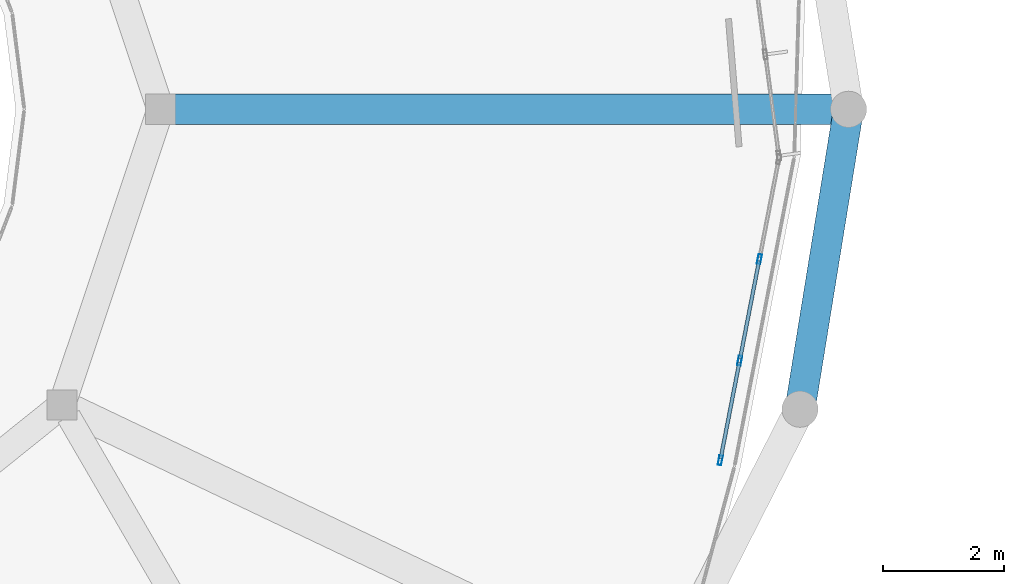
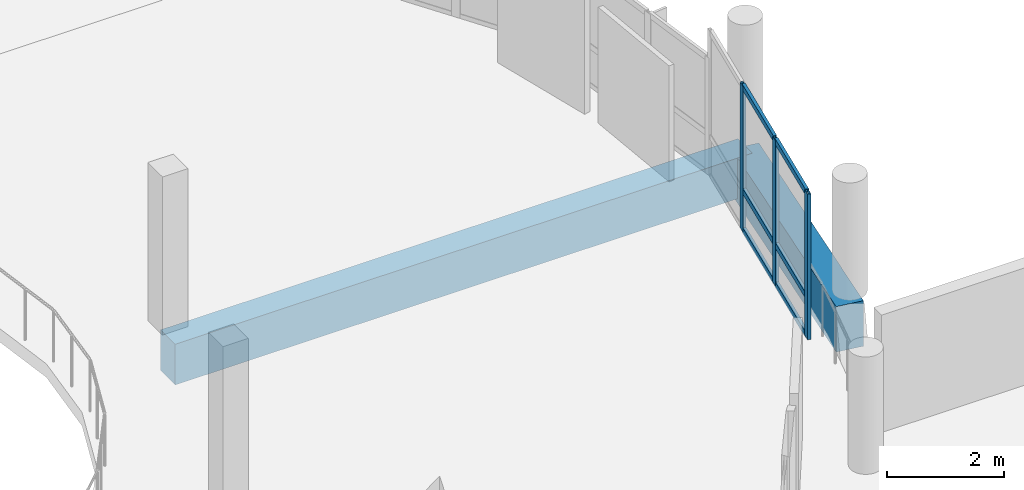
# One storey, part 18 of 43: 9 members, 2 beams, 1 element without a shape of its own.
"""IFC4 building model written with IfcOpenShell, lengths in metres."""

from ifc_helpers import new_model, si_unit, derived_unit, direction, frame, origin, origin_2d, place, context, subcontext, project, spatial, rectangle, hollow_rectangle, extrude, material, layer, layer_set, material_profile, profile_set, type_object, element, aggregate, save


model = new_model("IFC4")

# Units and contexts
model_context = context("Model", 3, precision=1e-05, world=origin(), true_north=direction((0.0, 1.0)))
body_context = subcontext(model_context, "Body", "Model", "MODEL_VIEW")
ifc_project = project(units=[si_unit("LENGTHUNIT", "METRE"), si_unit("AREAUNIT", "SQUARE_METRE"), si_unit("VOLUMEUNIT", "CUBIC_METRE"), si_unit("PLANEANGLEUNIT", "RADIAN"), si_unit("MASSUNIT", "GRAM", prefix="KILO"), derived_unit("THERMALTRANSMITTANCEUNIT", [(si_unit("POWERUNIT", "WATT"), 1), (si_unit("LENGTHUNIT", "METRE"), -2), (si_unit("THERMODYNAMICTEMPERATUREUNIT", "KELVIN"), -1)])], contexts=[model_context])

# Site, building, storey
site_placement = place(None, origin())
site = spatial("IfcSite", under=ifc_project, at=site_placement, CompositionType="ELEMENT")
building_placement = place(site_placement, origin())
building = spatial("IfcBuilding", under=site, at=building_placement, Name="Elbkamm Science Centre", CompositionType="ELEMENT")
storey_placement = place(building_placement, frame((0.0, 0.0, 18.300048828125)))
storey = spatial("IfcBuildingStorey", under=building, at=storey_placement, Name="L04", CompositionType="ELEMENT", Elevation=18.300048828125)

# Beams
ifc_material_1 = material(Name="Concrete C40/50", Category="concrete")
ifc_material_profile_1 = material_profile(ifc_material_1, rectangle(XDim=0.5, YDim=0.85009765625, at=origin_2d()), Name="RC 500x850")
ifc_profile_set_1 = profile_set([ifc_material_profile_1], Name="Concrete C40/50")
beam_type_1 = type_object("IfcBeamType", Name="BM-RC-500x850", PredefinedType="BEAM", material=ifc_profile_set_1)
beam_1_placement = place(storey_placement, frame((75.199951171875, 67.199951171875, -0.705078125), z_axis=(1.0, 0.0, 0.0), x_axis=(0.0, 1.0, 0.0)))
element("IfcBeam", 1, at=beam_1_placement, inside=storey, type_object=beam_type_1, Name="L04 Elliptical Radial Girder 01", PredefinedType="BEAM", context=body_context, shape_type="SweptSolid", body=[
    extrude(rectangle(XDim=0.5, YDim=0.85009765625, at=origin_2d()), origin(), (0.0, 0.0, 1.0), 11.400146484375),
])
ifc_material_profile_2 = material_profile(ifc_material_1, rectangle(XDim=0.5, YDim=0.949951171875, at=origin_2d()), Name="RC 500x950")
ifc_profile_set_2 = profile_set([ifc_material_profile_2], Name="Concrete C40/50")
beam_type_2 = type_object("IfcBeamType", Name="BM-RC-500x950", PredefinedType="BEAM", material=ifc_profile_set_2)
beam_2_placement = place(storey_placement, frame((85.7958984375, 62.23095703125, -0.755126953125), z_axis=(0.15976460627, 0.987155140078, 0.0), x_axis=(-0.987155140078, 0.15976460627, 0.0)))
element("IfcBeam", 2, at=beam_2_placement, inside=storey, type_object=beam_type_2, Name="L04 Elliptical Shell Perimeter Ring Beam 24", PredefinedType="SPANDREL", context=body_context, shape_type="SweptSolid", body=[
    extrude(rectangle(XDim=0.5, YDim=0.949951171875, at=origin_2d()), origin(), (0.0, 0.0, 1.0), 5.03369140625),
])

# Curtain wall, members
ifc_material_2 = material(Name="Powder-coated aluminium and triple low-E glazing", Category="aluminium")
ifc_layer = layer(ifc_material_2, 0.159912109375)
ifc_layer_set = layer_set([ifc_layer], Name="Powder-coated aluminium and triple low-E glazing")
curtain_wall_type = type_object("IfcCurtainWallType", Name="CW-UNIT-5140x3040", PredefinedType="USERDEFINED", material=ifc_layer_set)
curtain_wall_placement = place(storey_placement, origin())
curtain_wall = element("IfcCurtainWall", 3, at=curtain_wall_placement, inside=storey, type_object=curtain_wall_type, Name="L04 Unitised Curtain Wall 101", ObjectType="UNITISED CURTAIN WALL", PredefinedType="USERDEFINED")
ifc_material_3 = material(Name="Powder-coated aluminium EN AW-6060", Category="aluminium")
ifc_material_profile_3 = material_profile(ifc_material_3, hollow_rectangle(XDim=0.06005859375, YDim=0.159912109375, WallThickness=0.00390625, at=origin_2d()), Name="ALU M60x160")
ifc_profile_set_3 = profile_set([ifc_material_profile_3], Name="Powder-coated aluminium EN AW-6060")
member_type_1 = type_object("IfcMemberType", Name="CW-MUL-60x160", PredefinedType="MULLION", material=ifc_profile_set_3)
member_1_placement = place(storey_placement, frame((84.475830078125, 61.383056640625, 0.0), z_axis=(0.0, 0.0, 1.0), x_axis=(-0.981665064841, 0.190614009116, 0.0)))
member_1 = element("IfcMember", 4, at=member_1_placement, type_object=member_type_1, Name="CW-050 mullion 1", PredefinedType="MULLION", context=body_context, shape_type="SweptSolid", body=[
    extrude(hollow_rectangle(XDim=0.06005859375, YDim=0.159912109375, WallThickness=0.00390625, at=origin_2d()), origin(), (0.0, 0.0, 1.0), 3.0400390625),
])
member_2_placement = place(storey_placement, frame((84.796630859375, 63.03564453125, 0.0), z_axis=(0.0, 0.0, 1.0), x_axis=(-0.981665064841, 0.190614009116, 0.0)))
member_2 = element("IfcMember", 5, at=member_2_placement, type_object=member_type_1, Name="CW-050 mullion 2", PredefinedType="MULLION", context=body_context, shape_type="SweptSolid", body=[
    extrude(hollow_rectangle(XDim=0.06005859375, YDim=0.159912109375, WallThickness=0.00390625, at=origin_2d()), origin(), (0.0, 0.0, 1.0), 3.0400390625),
])
member_3_placement = place(storey_placement, frame((85.123291015625, 64.7177734375, 0.0), z_axis=(0.0, 0.0, 1.0), x_axis=(-0.981665064841, 0.190614009116, 0.0)))
member_3 = element("IfcMember", 6, at=member_3_placement, type_object=member_type_1, Name="CW-050 mullion 3", PredefinedType="MULLION", context=body_context, shape_type="SweptSolid", body=[
    extrude(hollow_rectangle(XDim=0.06005859375, YDim=0.159912109375, WallThickness=0.00390625, at=origin_2d()), origin(), (0.0, 0.0, 1.0), 3.0400390625),
])
ifc_material_profile_4 = material_profile(ifc_material_3, hollow_rectangle(XDim=0.06005859375, YDim=0.1201171875, WallThickness=0.00341796875, at=origin_2d()), Name="ALU T60x120")
ifc_profile_set_4 = profile_set([ifc_material_profile_4], Name="Powder-coated aluminium EN AW-6060")
member_type_2 = type_object("IfcMemberType", Name="CW-TRN-60x120", PredefinedType="USERDEFINED", material=ifc_profile_set_4)
member_4_placement = place(storey_placement, frame((84.4814453125, 61.412353515625, 0.030029296875), z_axis=(0.190676458895, 0.981652936645, 0.0), x_axis=(-0.981652936645, 0.190676458895, 0.0)))
member_4 = element("IfcMember", 7, at=member_4_placement, type_object=member_type_2, Name="CW-050 transom 1.1", ObjectType="TRANSOM", PredefinedType="USERDEFINED", context=body_context, shape_type="SweptSolid", body=[
    extrude(hollow_rectangle(XDim=0.06005859375, YDim=0.1201171875, WallThickness=0.00341796875, at=origin_2d()), origin(), (0.0, 0.0, 1.0), 1.62353515625),
])
member_5_placement = place(storey_placement, frame((84.4814453125, 61.412353515625, 0.849853515625), z_axis=(0.190676458895, 0.981652936645, 0.0), x_axis=(-0.981652936645, 0.190676458895, 0.0)))
member_5 = element("IfcMember", 8, at=member_5_placement, type_object=member_type_2, Name="CW-050 transom 1.2", ObjectType="TRANSOM", PredefinedType="USERDEFINED", context=body_context, shape_type="SweptSolid", body=[
    extrude(hollow_rectangle(XDim=0.06005859375, YDim=0.1201171875, WallThickness=0.00341796875, at=origin_2d()), origin(), (0.0, 0.0, 1.0), 1.62353515625),
])
member_6_placement = place(storey_placement, frame((84.4814453125, 61.412353515625, 3.010009765625), z_axis=(0.190676458895, 0.981652936645, 0.0), x_axis=(-0.981652936645, 0.190676458895, 0.0)))
member_6 = element("IfcMember", 9, at=member_6_placement, type_object=member_type_2, Name="CW-050 transom 1.3", ObjectType="TRANSOM", PredefinedType="USERDEFINED", context=body_context, shape_type="SweptSolid", body=[
    extrude(hollow_rectangle(XDim=0.06005859375, YDim=0.1201171875, WallThickness=0.00341796875, at=origin_2d()), origin(), (0.0, 0.0, 1.0), 1.62353515625),
])
member_7_placement = place(storey_placement, frame((84.802490234375, 63.065185546875, 0.030029296875), z_axis=(0.190604885799, 0.981666836309, 0.0), x_axis=(-0.981666836309, 0.190604885799, 0.0)))
member_7 = element("IfcMember", 10, at=member_7_placement, type_object=member_type_2, Name="CW-050 transom 2.1", ObjectType="TRANSOM", PredefinedType="USERDEFINED", context=body_context, shape_type="SweptSolid", body=[
    extrude(hollow_rectangle(XDim=0.06005859375, YDim=0.1201171875, WallThickness=0.00341796875, at=origin_2d()), origin(), (0.0, 0.0, 1.0), 1.653564453125),
])
member_8_placement = place(storey_placement, frame((84.802490234375, 63.065185546875, 0.849853515625), z_axis=(0.190604885799, 0.981666836309, 0.0), x_axis=(-0.981666836309, 0.190604885799, 0.0)))
member_8 = element("IfcMember", 11, at=member_8_placement, type_object=member_type_2, Name="CW-050 transom 2.2", ObjectType="TRANSOM", PredefinedType="USERDEFINED", context=body_context, shape_type="SweptSolid", body=[
    extrude(hollow_rectangle(XDim=0.06005859375, YDim=0.1201171875, WallThickness=0.00341796875, at=origin_2d()), origin(), (0.0, 0.0, 1.0), 1.653564453125),
])
member_9_placement = place(storey_placement, frame((84.802490234375, 63.065185546875, 3.010009765625), z_axis=(0.190604885799, 0.981666836309, 0.0), x_axis=(-0.981666836309, 0.190604885799, 0.0)))
member_9 = element("IfcMember", 12, at=member_9_placement, type_object=member_type_2, Name="CW-050 transom 2.3", ObjectType="TRANSOM", PredefinedType="USERDEFINED", context=body_context, shape_type="SweptSolid", body=[
    extrude(hollow_rectangle(XDim=0.06005859375, YDim=0.1201171875, WallThickness=0.00341796875, at=origin_2d()), origin(), (0.0, 0.0, 1.0), 1.653564453125),
])
aggregate(curtain_wall, [member_1, member_2, member_3, member_4, member_5, member_6, member_7, member_8, member_9])

save(model, "model.ifc")
